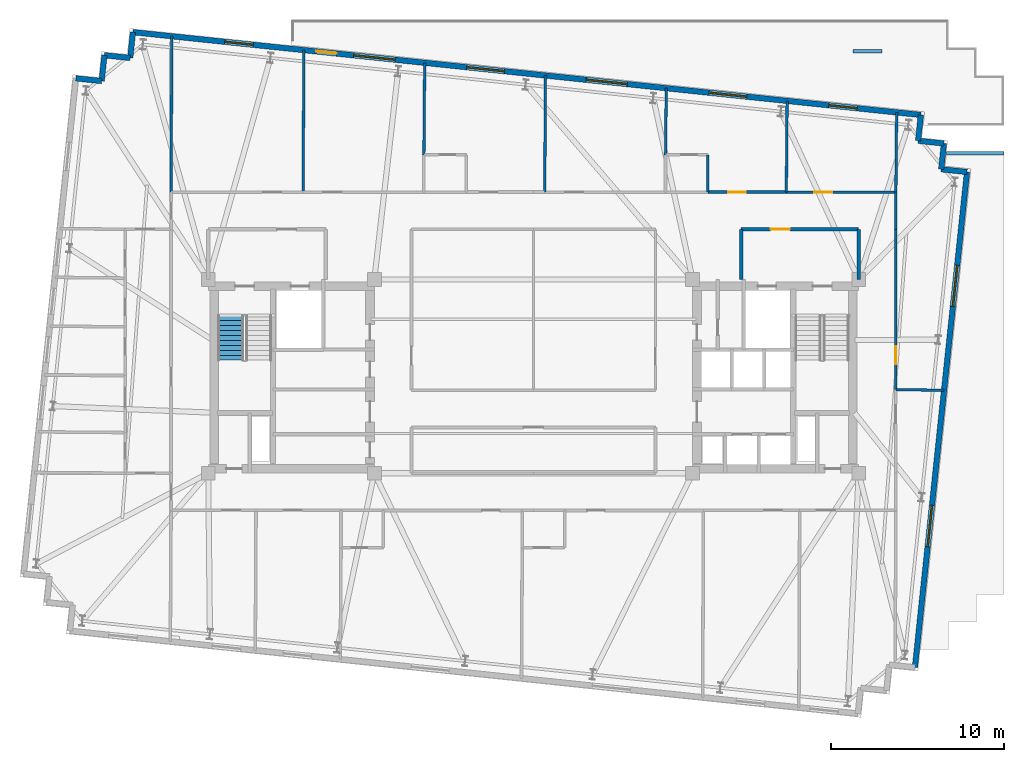
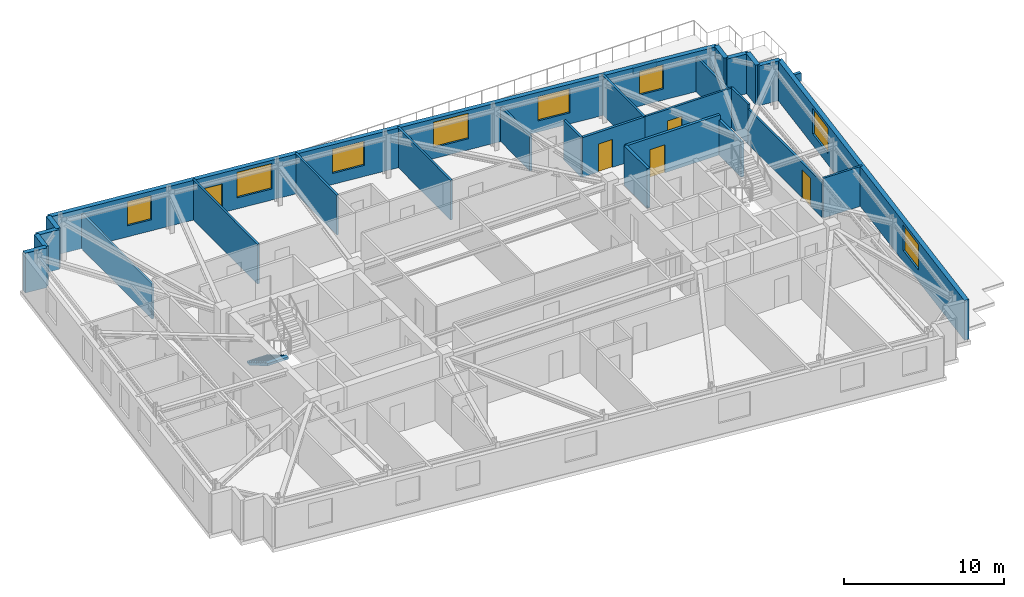
# One storey, part 9 of 13: 28 walls, 8 windows, 5 doors, 1 stair flight, 13 openings, 1 element without a shape of its own.
"""IFC4 building model written with IfcOpenShell, lengths in metres."""

from ifc_helpers import new_model, si_unit, direction, frame, frame_2d, origin, place, context, subcontext, project, spatial, polyline, rectangle, outline, extrude, material, layer, layer_set, type_object, element, fill, aggregate, save


model = new_model("IFC4")

# Units and contexts
model_context = context("Model", 3, precision=1e-05, world=origin(), true_north=direction((0.0, 1.0)))
body_context = subcontext(model_context, "Body", "Model", "MODEL_VIEW")
ifc_project = project(units=[si_unit("LENGTHUNIT", "METRE"), si_unit("AREAUNIT", "SQUARE_METRE"), si_unit("VOLUMEUNIT", "CUBIC_METRE"), si_unit("PLANEANGLEUNIT", "RADIAN"), si_unit("MASSUNIT", "GRAM", prefix="KILO")], contexts=[model_context])

# Site, building, storey
site_placement = place(None, origin())
site = spatial("IfcSite", under=ifc_project, at=site_placement, CompositionType="ELEMENT")
building_placement = place(site_placement, origin())
building = spatial("IfcBuilding", under=site, at=building_placement, Name="Qobustan Lattice House", CompositionType="ELEMENT")
storey_placement = place(building_placement, frame((0.0, 0.0, 179.64990234375)))
storey = spatial("IfcBuildingStorey", under=building, at=storey_placement, Name="L50", CompositionType="ELEMENT", Elevation=179.64990234375)

# Walls
ifc_material_1 = material(Name="Precast concrete C40/50", Category="concrete")
ifc_layer_1 = layer(ifc_material_1, 0.320068359375)
ifc_layer_set_1 = layer_set([ifc_layer_1], Name="Precast concrete C40/50")
wall_type_1 = type_object("IfcWallType", Name="WAL-EXT-STONE-320", PredefinedType="SOLIDWALL", material=ifc_layer_set_1)
wall_1_placement = place(storey_placement, frame((-26.452880859375, 17.228515625, 0.0), z_axis=(0.0, 0.0, 1.0), x_axis=(0.994508128223, -0.104659366031, 0.0)))
element("IfcWall", 1, at=wall_1_placement, inside=storey, type_object=wall_type_1, Name="L50 exterior limestone-clad wall 6", PredefinedType="SOLIDWALL", context=body_context, shape_type="SweptSolid", body=[
    extrude(rectangle(XDim=1.5, YDim=0.320068359375, at=frame_2d((0.75, 0.0))), origin(), (0.0, 0.0, 1.0), 3.0400390625),
])
wall_2_placement = place(storey_placement, frame((-24.961181640625, 17.071533203125, 0.0), z_axis=(0.0, 0.0, 1.0), x_axis=(0.104642427191, 0.994509910675, 0.0)))
element("IfcWall", 2, at=wall_2_placement, inside=storey, type_object=wall_type_1, Name="L50 exterior limestone-clad wall 7", PredefinedType="SOLIDWALL", context=body_context, shape_type="SweptSolid", body=[
    extrude(rectangle(XDim=1.500244140625, YDim=0.320068359375, at=frame_2d((0.75, 0.0))), origin(), (0.0, 0.0, 1.0), 3.0400390625),
])
wall_3_placement = place(storey_placement, frame((-24.80419921875, 18.5634765625, 0.0), z_axis=(0.0, 0.0, 1.0), x_axis=(0.994508128223, -0.104659366031, 0.0)))
element("IfcWall", 3, at=wall_3_placement, inside=storey, type_object=wall_type_1, Name="L50 exterior limestone-clad wall 8", PredefinedType="SOLIDWALL", context=body_context, shape_type="SweptSolid", body=[
    extrude(rectangle(XDim=1.5, YDim=0.320068359375, at=frame_2d((0.75, 0.0))), origin(), (0.0, 0.0, 1.0), 3.0400390625),
])
wall_4_placement = place(storey_placement, frame((-23.3125, 18.406494140625, 0.0), z_axis=(0.0, 0.0, 1.0), x_axis=(0.104481464157, 0.994526834051, 0.0)))
element("IfcWall", 4, at=wall_4_placement, inside=storey, type_object=wall_type_1, Name="L50 exterior limestone-clad wall 9", PredefinedType="SOLIDWALL", context=body_context, shape_type="SweptSolid", body=[
    extrude(rectangle(XDim=1.500244140625, YDim=0.320068359375, at=frame_2d((0.75, 0.0))), origin(), (0.0, 0.0, 1.0), 3.0400390625),
])

# Wall, openings, door, windows
wall_5_placement = place(storey_placement, frame((-23.15576171875, 19.8984375, 0.0), z_axis=(0.0, 0.0, 1.0), x_axis=(0.994522001802, -0.104527450613, 0.0)))
wall_5 = element("IfcWall", 5, at=wall_5_placement, inside=storey, type_object=wall_type_1, Name="L50 exterior limestone-clad wall 10", PredefinedType="SOLIDWALL", context=body_context, shape_type="SweptSolid", body=[
    extrude(rectangle(XDim=45.800048828125, YDim=0.320068359375, at=frame_2d((22.89990234375, 0.0))), origin(), (0.0, 0.0, 1.0), 3.0400390625),
])
opening_1_placement = place(wall_5_placement, frame((10.64990234375, 0.0, 0.0)))
opening_1 = element("IfcOpeningElement", 6, at=opening_1_placement, cuts=wall_5, Name="Opening TD-01", PredefinedType="OPENING", context=body_context, shape_type="SweptSolid", body=[
    extrude(rectangle(XDim=1.199951171875, YDim=2.199951171875, at=frame_2d((0.60009765625, 1.10009765625))), frame((0.0, 0.169921875, 0.0), z_axis=(0.0, -1.0, 0.0), x_axis=(1.0, 0.0, 0.0)), (0.0, 0.0, 1.0), 0.340087890625),
])
opening_2_placement = place(wall_5_placement, frame((5.34033203125, 0.0, 0.85009765625)))
opening_2 = element("IfcOpeningElement", 7, at=opening_2_placement, cuts=wall_5, Name="Opening WN-09", PredefinedType="OPENING", context=body_context, shape_type="SweptSolid", body=[
    extrude(rectangle(XDim=1.64990234375, YDim=1.85009765625, at=frame_2d((0.824951171875, 0.925048828125))), frame((0.0, 0.169921875, 0.0), z_axis=(0.0, -1.0, 0.0), x_axis=(1.0, 0.0, 0.0)), (0.0, 0.0, 1.0), 0.340087890625),
])
opening_3_placement = place(wall_5_placement, frame((12.841796875, 0.0, 0.85009765625)))
opening_3 = element("IfcOpeningElement", 8, at=opening_3_placement, cuts=wall_5, Name="Opening WN-10", PredefinedType="OPENING", context=body_context, shape_type="SweptSolid", body=[
    extrude(rectangle(XDim=2.39990234375, YDim=1.949951171875, at=frame_2d((1.199951171875, 0.97509765625))), frame((0.0, 0.169921875, 0.0), z_axis=(0.0, -1.0, 0.0), x_axis=(1.0, 0.0, 0.0)), (0.0, 0.0, 1.0), 0.340087890625),
])
opening_4_placement = place(wall_5_placement, frame((19.39794921875, 0.0, 0.85009765625)))
opening_4 = element("IfcOpeningElement", 9, at=opening_4_placement, cuts=wall_5, Name="Opening WN-03", PredefinedType="OPENING", context=body_context, shape_type="SweptSolid", body=[
    extrude(rectangle(XDim=2.199951171875, YDim=1.85009765625, at=frame_2d((1.10009765625, 0.925048828125))), frame((0.0, 0.169921875, 0.0), z_axis=(0.0, -1.0, 0.0), x_axis=(1.0, 0.0, 0.0)), (0.0, 0.0, 1.0), 0.340087890625),
])
opening_5_placement = place(wall_5_placement, frame((26.343994140625, 0.0, 0.85009765625)))
opening_5 = element("IfcOpeningElement", 10, at=opening_5_placement, cuts=wall_5, Name="Opening WN-10", PredefinedType="OPENING", context=body_context, shape_type="SweptSolid", body=[
    extrude(rectangle(XDim=2.39990234375, YDim=1.949951171875, at=frame_2d((1.199951171875, 0.97509765625))), frame((0.0, 0.169921875, 0.0), z_axis=(0.0, -1.0, 0.0), x_axis=(1.0, 0.0, 0.0)), (0.0, 0.0, 1.0), 0.340087890625),
])
opening_6_placement = place(wall_5_placement, frame((33.490234375, 0.0, 0.85009765625)))
opening_6 = element("IfcOpeningElement", 11, at=opening_6_placement, cuts=wall_5, Name="Opening WN-03", PredefinedType="OPENING", context=body_context, shape_type="SweptSolid", body=[
    extrude(rectangle(XDim=2.199951171875, YDim=1.85009765625, at=frame_2d((1.10009765625, 0.925048828125))), frame((0.0, 0.169921875, 0.0), z_axis=(0.0, -1.0, 0.0), x_axis=(1.0, 0.0, 0.0)), (0.0, 0.0, 1.0), 0.340087890625),
])
opening_7_placement = place(wall_5_placement, frame((40.451171875, 0.0, 0.85009765625)))
opening_7 = element("IfcOpeningElement", 12, at=opening_7_placement, cuts=wall_5, Name="Opening WN-09", PredefinedType="OPENING", context=body_context, shape_type="SweptSolid", body=[
    extrude(rectangle(XDim=1.64990234375, YDim=1.85009765625, at=frame_2d((0.824951171875, 0.925048828125))), frame((0.0, 0.169921875, 0.0), z_axis=(0.0, -1.0, 0.0), x_axis=(1.0, 0.0, 0.0)), (0.0, 0.0, 1.0), 0.340087890625),
])
ifc_material_2 = material(Name="Thermally broken anodised aluminium glazed door", Category="aluminium")
door_type_1 = type_object("IfcDoorType", Name="DOR-EXT-TERR-1200x2200", OperationType="NOTDEFINED", PredefinedType="DOOR", material=ifc_material_2)
door_1_placement = place(opening_1_placement, origin())
door_1 = element("IfcDoor", 13, at=door_1_placement, inside=storey, type_object=door_type_1, Name="L50 outdoor terrace access door", OperationType="SINGLE_SWING_LEFT", OverallHeight=2.199951171875, OverallWidth=1.199951171875, PredefinedType="DOOR", context=body_context, shape_type="SweptSolid", body=[
    extrude(rectangle(XDim=1.199951171875, YDim=2.199951171875, at=frame_2d((0.60009765625, 1.10009765625))), frame((0.0, 0.02490234375, 0.0), z_axis=(0.0, -1.0, 0.0), x_axis=(1.0, 0.0, 0.0)), (0.0, 0.0, 1.0), 0.050048828125),
])
fill(opening_1, door_1)
ifc_material_3 = material(Name="Double-glazed low-E aluminium window", Category="aluminium")
window_type_1 = type_object("IfcWindowType", Name="WIN-LNG-2400x1950", PartitioningType="SINGLE_PANEL", PredefinedType="WINDOW", material=ifc_material_3)
window_1_placement = place(opening_3_placement, origin())
window_1 = element("IfcWindow", 14, at=window_1_placement, inside=storey, type_object=window_type_1, Name="L50 Sky terrace lounge N2 window", OverallHeight=1.949951171875, OverallWidth=2.39990234375, PartitioningType="SINGLE_PANEL", PredefinedType="WINDOW", context=body_context, shape_type="SweptSolid", body=[
    extrude(rectangle(XDim=2.39990234375, YDim=1.949951171875, at=frame_2d((1.199951171875, 0.97509765625))), frame((0.0, 0.030029296875, 0.0), z_axis=(0.0, -1.0, 0.0), x_axis=(1.0, 0.0, 0.0)), (0.0, 0.0, 1.0), 0.06005859375),
])
fill(opening_3, window_1)
window_2_placement = place(opening_5_placement, origin())
window_2 = element("IfcWindow", 15, at=window_2_placement, inside=storey, type_object=window_type_1, Name="L50 Garden terrace reading salon N4 window", OverallHeight=1.949951171875, OverallWidth=2.39990234375, PartitioningType="SINGLE_PANEL", PredefinedType="WINDOW", context=body_context, shape_type="SweptSolid", body=[
    extrude(rectangle(XDim=2.39990234375, YDim=1.949951171875, at=frame_2d((1.199951171875, 0.97509765625))), frame((0.0, 0.030029296875, 0.0), z_axis=(0.0, -1.0, 0.0), x_axis=(1.0, 0.0, 0.0)), (0.0, 0.0, 1.0), 0.06005859375),
])
fill(opening_5, window_2)
ifc_material_4 = material(Name="Double-glazed low-E aluminium window", Category="aluminium")
window_type_2 = type_object("IfcWindowType", Name="WIN-STU-1650x1850", PartitioningType="SINGLE_PANEL", PredefinedType="WINDOW", material=ifc_material_4)
window_3_placement = place(opening_2_placement, origin())
window_3 = element("IfcWindow", 16, at=window_3_placement, inside=storey, type_object=window_type_2, Name="L50 Focus study room N1 window", OverallHeight=1.85009765625, OverallWidth=1.64990234375, PartitioningType="SINGLE_PANEL", PredefinedType="WINDOW", context=body_context, shape_type="SweptSolid", body=[
    extrude(rectangle(XDim=1.64990234375, YDim=1.85009765625, at=frame_2d((0.824951171875, 0.925048828125))), frame((0.0, 0.030029296875, 0.0), z_axis=(0.0, -1.0, 0.0), x_axis=(1.0, 0.0, 0.0)), (0.0, 0.0, 1.0), 0.06005859375),
])
fill(opening_2, window_3)
window_4_placement = place(opening_7_placement, origin())
window_4 = element("IfcWindow", 17, at=window_4_placement, inside=storey, type_object=window_type_2, Name="L50 Focus study room N6 window", OverallHeight=1.85009765625, OverallWidth=1.64990234375, PartitioningType="SINGLE_PANEL", PredefinedType="WINDOW", context=body_context, shape_type="SweptSolid", body=[
    extrude(rectangle(XDim=1.64990234375, YDim=1.85009765625, at=frame_2d((0.824951171875, 0.925048828125))), frame((0.0, 0.030029296875, 0.0), z_axis=(0.0, -1.0, 0.0), x_axis=(1.0, 0.0, 0.0)), (0.0, 0.0, 1.0), 0.06005859375),
])
fill(opening_7, window_4)
ifc_material_5 = material(Name="Double-glazed low-E aluminium window", Category="aluminium")
window_type_3 = type_object("IfcWindowType", Name="WIN-WIDE-2200x1850", PartitioningType="SINGLE_PANEL", PredefinedType="WINDOW", material=ifc_material_5)
window_5_placement = place(opening_4_placement, origin())
window_5 = element("IfcWindow", 18, at=window_5_placement, inside=storey, type_object=window_type_3, Name="L50 Kitchenette and studio apartment L50-N3 window", OverallHeight=1.85009765625, OverallWidth=2.199951171875, PartitioningType="SINGLE_PANEL", PredefinedType="WINDOW", context=body_context, shape_type="SweptSolid", body=[
    extrude(rectangle(XDim=2.199951171875, YDim=1.85009765625, at=frame_2d((1.10009765625, 0.925048828125))), frame((0.0, 0.030029296875, 0.0), z_axis=(0.0, -1.0, 0.0), x_axis=(1.0, 0.0, 0.0)), (0.0, 0.0, 1.0), 0.06005859375),
])
fill(opening_4, window_5)
window_6_placement = place(opening_6_placement, origin())
window_6 = element("IfcWindow", 19, at=window_6_placement, inside=storey, type_object=window_type_3, Name="L50 Kitchenette and studio apartment L50-N5 window", OverallHeight=1.85009765625, OverallWidth=2.199951171875, PartitioningType="SINGLE_PANEL", PredefinedType="WINDOW", context=body_context, shape_type="SweptSolid", body=[
    extrude(rectangle(XDim=2.199951171875, YDim=1.85009765625, at=frame_2d((1.10009765625, 0.925048828125))), frame((0.0, 0.030029296875, 0.0), z_axis=(0.0, -1.0, 0.0), x_axis=(1.0, 0.0, 0.0)), (0.0, 0.0, 1.0), 0.06005859375),
])
fill(opening_6, window_6)

# Walls
wall_6_placement = place(storey_placement, frame((22.393310546875, 15.111083984375, 0.0), z_axis=(0.0, 0.0, 1.0), x_axis=(-0.104481464157, -0.994526834051, 0.0)))
element("IfcWall", 20, at=wall_6_placement, inside=storey, type_object=wall_type_1, Name="L50 exterior limestone-clad wall 11", PredefinedType="SOLIDWALL", context=body_context, shape_type="SweptSolid", body=[
    extrude(rectangle(XDim=1.500244140625, YDim=0.320068359375, at=frame_2d((0.75, 0.0))), origin(), (0.0, 0.0, 1.0), 3.0400390625),
])
for number, where, z_axis, x_axis, name in (
    (21, (22.236572265625, 13.619140625, 0.0), (0.0, 0.0, 1.0), (0.994525057048, -0.104498377516, 0.0), "L50 exterior limestone-clad wall 12"),
    (22, (23.728271484375, 13.46240234375, 0.0), (0.0, 0.0, 1.0), (-0.104498377516, -0.994525057048, 0.0), "L50 exterior limestone-clad wall 13"),
    (23, (23.571533203125, 11.970703125, 0.0), (0.0, 0.0, 1.0), (0.994508128223, -0.104659366031, 0.0), "L50 exterior limestone-clad wall 14"),
):
    element("IfcWall", number, at=place(storey_placement, frame(where, z_axis=z_axis, x_axis=x_axis)), inside=storey, type_object=wall_type_1, Name=name, PredefinedType="SOLIDWALL", context=body_context, shape_type="SweptSolid", body=[
        extrude(rectangle(XDim=1.5, YDim=0.320068359375, at=frame_2d((0.75, 0.0))), origin(), (0.0, 0.0, 1.0), 3.0400390625),
    ])

# Wall, openings, windows
wall_7_placement = place(storey_placement, frame((25.063232421875, 11.813720703125, 0.0), z_axis=(0.0, 0.0, 1.0), x_axis=(-0.104523275986, -0.99452244056, 0.0)))
wall_7 = element("IfcWall", 24, at=wall_7_placement, inside=storey, type_object=wall_type_1, Name="L50 exterior limestone-clad wall 15", PredefinedType="SOLIDWALL", context=body_context, shape_type="SweptSolid", body=[
    extrude(rectangle(XDim=28.7998046875, YDim=0.320068359375, at=frame_2d((14.39990234375, 0.0))), origin(), (0.0, 0.0, 1.0), 3.0400390625),
])
opening_8_placement = place(wall_7_placement, frame((5.41845703125, 0.0, 0.85009765625)))
opening_8 = element("IfcOpeningElement", 25, at=opening_8_placement, cuts=wall_7, Name="Opening WN-10", PredefinedType="OPENING", context=body_context, shape_type="SweptSolid", body=[
    extrude(rectangle(XDim=2.39990234375, YDim=1.949951171875, at=frame_2d((1.199951171875, 0.97509765625))), frame((0.0, 0.169921875, 0.0), z_axis=(0.0, -1.0, 0.0), x_axis=(1.0, 0.0, 0.0)), (0.0, 0.0, 1.0), 0.340087890625),
])
opening_9_placement = place(wall_7_placement, frame((19.377197265625, 0.0, 0.85009765625)))
opening_9 = element("IfcOpeningElement", 26, at=opening_9_placement, cuts=wall_7, Name="Opening WN-10", PredefinedType="OPENING", context=body_context, shape_type="SweptSolid", body=[
    extrude(rectangle(XDim=2.39990234375, YDim=1.949951171875, at=frame_2d((1.199951171875, 0.97509765625))), frame((0.0, 0.169921875, 0.0), z_axis=(0.0, -1.0, 0.0), x_axis=(1.0, 0.0, 0.0)), (0.0, 0.0, 1.0), 0.340087890625),
])
window_7_placement = place(opening_8_placement, origin())
window_7 = element("IfcWindow", 27, at=window_7_placement, inside=storey, type_object=window_type_1, Name="L50 Spiral terrace north lounge window", OverallHeight=1.949951171875, OverallWidth=2.39990234375, PartitioningType="SINGLE_PANEL", PredefinedType="WINDOW", context=body_context, shape_type="SweptSolid", body=[
    extrude(rectangle(XDim=2.39990234375, YDim=1.949951171875, at=frame_2d((1.199951171875, 0.97509765625))), frame((0.0, 0.030029296875, 0.0), z_axis=(0.0, -1.0, 0.0), x_axis=(1.0, 0.0, 0.0)), (0.0, 0.0, 1.0), 0.06005859375),
])
fill(opening_8, window_7)
window_8_placement = place(opening_9_placement, origin())
window_8 = element("IfcWindow", 28, at=window_8_placement, inside=storey, type_object=window_type_1, Name="L50 Spiral terrace south lounge window", OverallHeight=1.949951171875, OverallWidth=2.39990234375, PartitioningType="SINGLE_PANEL", PredefinedType="WINDOW", context=body_context, shape_type="SweptSolid", body=[
    extrude(rectangle(XDim=2.39990234375, YDim=1.949951171875, at=frame_2d((1.199951171875, 0.97509765625))), frame((0.0, 0.030029296875, 0.0), z_axis=(0.0, -1.0, 0.0), x_axis=(1.0, 0.0, 0.0)), (0.0, 0.0, 1.0), 0.06005859375),
])
fill(opening_9, window_8)

# Wall, opening, door
ifc_material_6 = material(Name="Gypsum fireboard acoustic partition", Category="gypsum")
ifc_layer_2 = layer(ifc_material_6, 0.179931640625)
ifc_layer_set_2 = layer_set([ifc_layer_2], Name="Gypsum fireboard acoustic partition")
wall_type_2 = type_object("IfcWallType", Name="WAL-FIRE-180", PredefinedType="PARTITIONING", material=ifc_layer_set_2)
wall_8_placement = place(storey_placement, frame((10.0830078125, 10.64990234375, 0.0), z_axis=(0.0, 0.0, 1.0), x_axis=(1.0, 0.0, 0.0)))
wall_8 = element("IfcWall", 29, at=wall_8_placement, inside=storey, type_object=wall_type_2, Name="L50 interior partition 40", PredefinedType="PARTITIONING", context=body_context, shape_type="SweptSolid", body=[
    extrude(rectangle(XDim=4.533935546875, YDim=0.179931640625, at=frame_2d((2.26708984375, 0.0))), origin(), (0.0, 0.0, 1.0), 3.0400390625),
])
opening_10_placement = place(wall_8_placement, frame((1.173583984375, 0.0, 0.0)))
opening_10 = element("IfcOpeningElement", 30, at=opening_10_placement, cuts=wall_8, Name="Opening FD-02", PredefinedType="OPENING", context=body_context, shape_type="SweptSolid", body=[
    extrude(rectangle(XDim=1.0, YDim=2.14990234375, at=frame_2d((0.5, 1.074951171875))), frame((0.0, 0.099853515625, 0.0), z_axis=(0.0, -1.0, 0.0), x_axis=(1.0, 0.0, 0.0)), (0.0, 0.0, 1.0), 0.199951171875),
])
ifc_material_7 = material(Name="Persian walnut timber and steel frame door", Category="steel")
door_type_2 = type_object("IfcDoorType", Name="DOR-UNIT-FD-1000x2150", OperationType="NOTDEFINED", PredefinedType="DOOR", material=ifc_material_7)
door_2_placement = place(opening_10_placement, origin())
door_2 = element("IfcDoor", 31, at=door_2_placement, inside=storey, type_object=door_type_2, Name="L50 North-east floor corridor to Kitchenette and studio apartment L50-N5 door", OperationType="SINGLE_SWING_LEFT", OverallHeight=2.14990234375, OverallWidth=1.0, PredefinedType="DOOR", context=body_context, shape_type="SweptSolid", body=[
    extrude(rectangle(XDim=1.0, YDim=2.14990234375, at=frame_2d((0.5, 1.074951171875))), frame((0.0, 0.02490234375, 0.0), z_axis=(0.0, -1.0, 0.0), x_axis=(1.0, 0.0, 0.0)), (0.0, 0.0, 1.0), 0.050048828125),
])
fill(opening_10, door_2)

# Walls
ifc_material_8 = material(Name="Precast concrete C40/50", Category="concrete")
ifc_layer_3 = layer(ifc_material_8, 0.219970703125)
ifc_layer_set_3 = layer_set([ifc_layer_3], Name="Precast concrete C40/50")
wall_type_3 = type_object("IfcWallType", Name="WAL-PARAPET-220", PredefinedType="PARAPET", material=ifc_layer_set_3)
wall_9_placement = place(storey_placement, frame((27.199951171875, 12.89990234375, 0.0), z_axis=(0.0, 0.0, 1.0), x_axis=(-1.0, 0.0, 0.0)))
element("IfcWall", 32, at=wall_9_placement, inside=storey, type_object=wall_type_3, Name="L50 maintenance roof parapet 1", PredefinedType="PARAPET", context=body_context, shape_type="SweptSolid", body=[
    extrude(rectangle(XDim=3.32958984375, YDim=0.219970703125, at=frame_2d((1.664794921875, 0.0))), origin(), (0.0, 0.0, 1.0), 0.650146484375),
])
ifc_material_9 = material(Name="Acoustic twin-stud gypsum partition", Category="gypsum")
ifc_layer_4 = layer(ifc_material_9, 0.14990234375)
ifc_layer_set_4 = layer_set([ifc_layer_4], Name="Acoustic twin-stud gypsum partition")
wall_type_4 = type_object("IfcWallType", Name="WAL-PART-150", PredefinedType="PARTITIONING", material=ifc_layer_set_4)
wall_10_placement = place(storey_placement, frame((20.949951171875, 10.64990234375, 0.0), z_axis=(0.0, 0.0, 1.0), x_axis=(0.0, -1.0, 0.0)))
element("IfcWall", 33, at=wall_10_placement, inside=storey, type_object=wall_type_4, Name="L50 interior partition 37", PredefinedType="PARTITIONING", context=body_context, shape_type="SweptSolid", body=[
    extrude(rectangle(XDim=2.14990234375, YDim=0.14990234375, at=frame_2d((1.074951171875, 0.0))), origin(), (0.0, 0.0, 1.0), 3.0400390625),
])

# Wall, opening, door
wall_11_placement = place(storey_placement, frame((14.616943359375, 10.64990234375, 0.0), z_axis=(0.0, 0.0, 1.0), x_axis=(1.0, 0.0, 0.0)))
wall_11 = element("IfcWall", 34, at=wall_11_placement, inside=storey, type_object=wall_type_4, Name="L50 interior partition 42", PredefinedType="PARTITIONING", context=body_context, shape_type="SweptSolid", body=[
    extrude(rectangle(XDim=6.3330078125, YDim=0.14990234375, at=frame_2d((3.16650390625, 0.0))), origin(), (0.0, 0.0, 1.0), 3.0400390625),
])
opening_11_placement = place(wall_11_placement, frame((1.610595703125, 0.0, 0.0)))
opening_11 = element("IfcOpeningElement", 35, at=opening_11_placement, cuts=wall_11, Name="Opening ID-02", PredefinedType="OPENING", context=body_context, shape_type="SweptSolid", body=[
    extrude(rectangle(XDim=1.050048828125, YDim=2.14990234375, at=frame_2d((0.52490234375, 1.074951171875))), frame((0.0, 0.0849609375, 0.0), z_axis=(0.0, -1.0, 0.0), x_axis=(1.0, 0.0, 0.0)), (0.0, 0.0, 1.0), 0.169921875),
])
ifc_material_10 = material(Name="Persian walnut timber and steel frame door", Category="steel")
door_type_3 = type_object("IfcDoorType", Name="DOR-STUDY-1050x2150", OperationType="NOTDEFINED", PredefinedType="DOOR", material=ifc_material_10)
door_3_placement = place(opening_11_placement, origin())
door_3 = element("IfcDoor", 36, at=door_3_placement, inside=storey, type_object=door_type_3, Name="L50 North-east floor corridor to Focus study room N6 door", OperationType="SINGLE_SWING_RIGHT", OverallHeight=2.14990234375, OverallWidth=1.050048828125, PredefinedType="DOOR", context=body_context, shape_type="SweptSolid", body=[
    extrude(rectangle(XDim=1.050048828125, YDim=2.14990234375, at=frame_2d((0.52490234375, 1.074951171875))), frame((0.0, 0.02490234375, 0.0), z_axis=(0.0, -1.0, 0.0), x_axis=(1.0, 0.0, 0.0)), (0.0, 0.0, 1.0), 0.050048828125),
])
fill(opening_11, door_3)

wall_12_placement = place(storey_placement, frame((20.949951171875, 8.5, 0.0), z_axis=(0.0, 0.0, 1.0), x_axis=(0.0, -1.0, 0.0)))
wall_12 = element("IfcWall", 37, at=wall_12_placement, inside=storey, type_object=wall_type_4, Name="L50 interior partition 59", PredefinedType="PARTITIONING", context=body_context, shape_type="SweptSolid", body=[
    extrude(rectangle(XDim=9.26318359375, YDim=0.14990234375, at=frame_2d((4.631591796875, 0.0))), origin(), (0.0, 0.0, 1.0), 2.695068359375),
])
opening_12_placement = place(wall_12_placement, frame((6.75146484375, 0.0, 0.0)))
opening_12 = element("IfcOpeningElement", 38, at=opening_12_placement, cuts=wall_12, Name="Opening ID-02", PredefinedType="OPENING", context=body_context, shape_type="SweptSolid", body=[
    extrude(rectangle(XDim=1.050048828125, YDim=2.14990234375, at=frame_2d((0.52490234375, 1.074951171875))), frame((0.0, 0.0849609375, 0.0), z_axis=(0.0, -1.0, 0.0), x_axis=(1.0, 0.0, 0.0)), (0.0, 0.0, 1.0), 0.169921875),
])
door_4_placement = place(opening_12_placement, origin())
door_4 = element("IfcDoor", 39, at=door_4_placement, inside=storey, type_object=door_type_3, Name="L50 East wing spine gallery to Spiral terrace north lounge door", OperationType="SINGLE_SWING_RIGHT", OverallHeight=2.14990234375, OverallWidth=1.050048828125, PredefinedType="DOOR", context=body_context, shape_type="SweptSolid", body=[
    extrude(rectangle(XDim=1.050048828125, YDim=2.14990234375, at=frame_2d((0.52490234375, 1.074951171875))), frame((0.0, 0.02490234375, 0.0), z_axis=(0.0, -1.0, 0.0), x_axis=(1.0, 0.0, 0.0)), (0.0, 0.0, 1.0), 0.050048828125),
])
fill(opening_12, door_4)

# Walls
wall_13_placement = place(storey_placement, frame((-20.906005859375, 19.661865234375, 0.0), z_axis=(0.0, 0.0, 1.0), x_axis=(-0.004876272857, -0.999988110911, 0.0)))
element("IfcWall", 40, at=wall_13_placement, inside=storey, type_object=wall_type_4, Name="L50 interior partition 75", PredefinedType="PARTITIONING", context=body_context, shape_type="SweptSolid", body=[
    extrude(rectangle(XDim=9.011962890625, YDim=0.14990234375, at=frame_2d((4.505859375, 0.0))), origin(), (0.0, 0.0, 1.0), 2.6650390625),
])
wall_14_placement = place(storey_placement, frame((20.949951171875, -0.76318359375, 0.0), z_axis=(0.0, 0.0, 1.0), x_axis=(0.999875696831, -0.015766765259, 0.0)))
element("IfcWall", 41, at=wall_14_placement, inside=storey, type_object=wall_type_4, Name="L50 interior partition 82", PredefinedType="PARTITIONING", context=body_context, shape_type="SweptSolid", body=[
    extrude(rectangle(XDim=2.787109375, YDim=0.14990234375, at=frame_2d((1.3935546875, 0.0))), origin(), (0.0, 0.0, 1.0), 3.0400390625),
])
wall_15_placement = place(storey_placement, frame((20.949951171875, 10.64990234375, 0.0), z_axis=(0.0, 0.0, 1.0), x_axis=(0.009535990233, 0.999954531411, 0.0)))
element("IfcWall", 42, at=wall_15_placement, inside=storey, type_object=wall_type_4, Name="L50 interior partition 84", PredefinedType="PARTITIONING", context=body_context, shape_type="SweptSolid", body=[
    extrude(rectangle(XDim=4.6083984375, YDim=0.14990234375, at=frame_2d((2.30419921875, 0.0))), origin(), (0.0, 0.0, 1.0), 2.6650390625),
])
wall_16_placement = place(storey_placement, frame((-13.273193359375, 18.859619140625, 0.0), z_axis=(0.0, 0.0, 1.0), x_axis=(-0.005323028044, -0.999985832586, 0.0)))
element("IfcWall", 43, at=wall_16_placement, inside=storey, type_object=wall_type_4, Name="L50 interior partition 85", PredefinedType="PARTITIONING", context=body_context, shape_type="SweptSolid", body=[
    extrude(rectangle(XDim=8.209716796875, YDim=0.14990234375, at=frame_2d((4.10498046875, 0.0))), origin(), (0.0, 0.0, 1.0), 3.0400390625),
])
wall_17_placement = place(storey_placement, frame((-6.2890625, 18.12548828125, 0.0), z_axis=(0.0, 0.0, 1.0), x_axis=(-0.008251678897, -0.999965954318, 0.0)))
element("IfcWall", 44, at=wall_17_placement, inside=storey, type_object=wall_type_4, Name="L50 interior partition 86", PredefinedType="PARTITIONING", context=body_context, shape_type="SweptSolid", body=[
    extrude(rectangle(XDim=5.32568359375, YDim=0.14990234375, at=frame_2d((2.662841796875, 0.0))), origin(), (0.0, 0.0, 1.0), 3.0400390625),
])
wall_18_placement = place(storey_placement, frame((0.69384765625, 17.3916015625, 0.0), z_axis=(0.0, 0.0, 1.0), x_axis=(-0.0065182942, -0.999978755695, 0.0)))
element("IfcWall", 45, at=wall_18_placement, inside=storey, type_object=wall_type_4, Name="L50 interior partition 90", PredefinedType="PARTITIONING", context=body_context, shape_type="SweptSolid", body=[
    extrude(rectangle(XDim=6.741943359375, YDim=0.14990234375, at=frame_2d((3.37109375, 0.0))), origin(), (0.0, 0.0, 1.0), 3.0400390625),
])
wall_19_placement = place(storey_placement, frame((7.677001953125, 16.65771484375, 0.0), z_axis=(0.0, 0.0, 1.0), x_axis=(-0.01139094499, -0.999935121081, 0.0)))
element("IfcWall", 46, at=wall_19_placement, inside=storey, type_object=wall_type_4, Name="L50 interior partition 91", PredefinedType="PARTITIONING", context=body_context, shape_type="SweptSolid", body=[
    extrude(rectangle(XDim=3.85791015625, YDim=0.14990234375, at=frame_2d((1.928955078125, 0.0))), origin(), (0.0, 0.0, 1.0), 2.6650390625),
])
wall_20_placement = place(storey_placement, frame((14.660888671875, 15.923583984375, 0.0), z_axis=(0.0, 0.0, 1.0), x_axis=(-0.008332658252, -0.999965282801, 0.0)))
element("IfcWall", 47, at=wall_20_placement, inside=storey, type_object=wall_type_4, Name="L50 interior partition 95", PredefinedType="PARTITIONING", context=body_context, shape_type="SweptSolid", body=[
    extrude(rectangle(XDim=5.27392578125, YDim=0.14990234375, at=frame_2d((2.636962890625, 0.0))), origin(), (0.0, 0.0, 1.0), 3.0400390625),
])
ifc_material_11 = material(Name="Qobustan buff limestone", Category="masonry")
ifc_layer_5 = layer(ifc_material_11, 0.199951171875)
ifc_layer_set_5 = layer_set([ifc_layer_5], Name="Qobustan buff limestone")
wall_type_5 = type_object("IfcWallType", Name="WAL-PLANTER-200", PredefinedType="USERDEFINED", material=ifc_layer_set_5)
wall_21_placement = place(storey_placement, frame((18.457763671875, 18.784423828125, 0.0), z_axis=(0.0, 0.0, 1.0), x_axis=(1.0, 0.0, 0.0)))
element("IfcWall", 48, at=wall_21_placement, inside=storey, type_object=wall_type_5, Name="L50 planted terrace stone planter", ObjectType="PLANTER", PredefinedType="USERDEFINED", context=body_context, shape_type="SweptSolid", body=[
    extrude(rectangle(XDim=1.699951171875, YDim=0.199951171875, at=frame_2d((0.85009765625, 0.0))), origin(), (0.0, 0.0, 1.0), 0.4501953125),
])

# Wall, opening, door
ifc_material_12 = material(Name="Two-hour gypsum fireboard acoustic partition", Category="gypsum")
ifc_layer_6 = layer(ifc_material_12, 0.199951171875)
ifc_layer_set_6 = layer_set([ifc_layer_6], Name="Two-hour gypsum fireboard acoustic partition")
wall_type_6 = type_object("IfcWallType", Name="WAL-PROT-200", PredefinedType="PARTITIONING", material=ifc_layer_set_6)
wall_22_placement = place(storey_placement, frame((18.800048828125, 8.5, 0.0), z_axis=(0.0, 0.0, 1.0), x_axis=(-1.0, 0.0, 0.0)))
wall_22 = element("IfcWall", 49, at=wall_22_placement, inside=storey, type_object=wall_type_6, Name="L50 interior partition 15", PredefinedType="PARTITIONING", context=body_context, shape_type="SweptSolid", body=[
    extrude(rectangle(XDim=6.800048828125, YDim=0.199951171875, at=frame_2d((3.39990234375, 0.0))), origin(), (0.0, 0.0, 1.0), 3.0400390625),
])
opening_13_placement = place(wall_22_placement, frame((3.985107421875, 0.0, 0.0)))
opening_13 = element("IfcOpeningElement", 50, at=opening_13_placement, cuts=wall_22, Name="Opening SD-01", PredefinedType="OPENING", context=body_context, shape_type="SweptSolid", body=[
    extrude(rectangle(XDim=1.10009765625, YDim=2.14990234375, at=frame_2d((0.550048828125, 1.074951171875))), frame((0.0, 0.10986328125, 0.0), z_axis=(0.0, -1.0, 0.0), x_axis=(1.0, 0.0, 0.0)), (0.0, 0.0, 1.0), 0.219970703125),
])
ifc_material_13 = material(Name="Persian walnut timber and steel frame door", Category="steel")
door_type_4 = type_object("IfcDoorType", Name="DOR-STAIR-FD-1100x2150", OperationType="NOTDEFINED", PredefinedType="DOOR", material=ifc_material_13)
door_5_placement = place(opening_13_placement, origin())
door_5 = element("IfcDoor", 51, at=door_5_placement, inside=storey, type_object=door_type_4, Name="L50 East firefighting lift lobby to North-east floor corridor door", OperationType="SINGLE_SWING_RIGHT", OverallHeight=2.14990234375, OverallWidth=1.10009765625, PredefinedType="DOOR", context=body_context, shape_type="SweptSolid", body=[
    extrude(rectangle(XDim=1.10009765625, YDim=2.14990234375, at=frame_2d((0.550048828125, 1.074951171875))), frame((0.0, 0.02490234375, 0.0), z_axis=(0.0, -1.0, 0.0), x_axis=(1.0, 0.0, 0.0)), (0.0, 0.0, 1.0), 0.050048828125),
])
fill(opening_13, door_5)

# Walls
wall_23_placement = place(storey_placement, frame((18.800048828125, 5.60009765625, 0.0), z_axis=(0.0, 0.0, 1.0), x_axis=(0.0, 1.0, 0.0)))
element("IfcWall", 52, at=wall_23_placement, inside=storey, type_object=wall_type_6, Name="L50 interior partition 16", PredefinedType="PARTITIONING", context=body_context, shape_type="SweptSolid", body=[
    extrude(rectangle(XDim=2.89990234375, YDim=0.199951171875, at=frame_2d((1.449951171875, 0.0))), origin(), (0.0, 0.0, 1.0), 2.6650390625),
])
wall_24_placement = place(storey_placement, frame((12.0, 8.5, 0.0), z_axis=(0.0, 0.0, 1.0), x_axis=(0.0, -1.0, 0.0)))
element("IfcWall", 53, at=wall_24_placement, inside=storey, type_object=wall_type_6, Name="L50 interior partition 17", PredefinedType="PARTITIONING", context=body_context, shape_type="SweptSolid", body=[
    extrude(rectangle(XDim=2.89990234375, YDim=0.199951171875, at=frame_2d((1.449951171875, 0.0))), origin(), (0.0, 0.0, 1.0), 3.0400390625),
])
ifc_material_14 = material(Name="Moisture-resistant acoustic plumbing wall", Category="gypsum")
ifc_layer_7 = layer(ifc_material_14, 0.14990234375)
ifc_layer_set_7 = layer_set([ifc_layer_7], Name="Moisture-resistant acoustic plumbing wall")
wall_type_7 = type_object("IfcWallType", Name="WAL-WET-150", PredefinedType="PLUMBINGWALL", material=ifc_layer_set_7)
wall_25_placement = place(storey_placement, frame((10.0830078125, 10.64990234375, 0.0), z_axis=(0.0, 0.0, 1.0), x_axis=(0.0, 1.0, 0.0)))
element("IfcWall", 54, at=wall_25_placement, inside=storey, type_object=wall_type_7, Name="L50 interior partition 94", PredefinedType="PLUMBINGWALL", context=body_context, shape_type="SweptSolid", body=[
    extrude(rectangle(XDim=2.150146484375, YDim=0.14990234375, at=frame_2d((1.0751953125, 0.0))), origin(), (0.0, 0.0, 1.0), 3.0400390625),
])

# Stair, stair flight
ifc_material_15 = material(Name="Concrete C40/50", Category="concrete")
stair_type = type_object("IfcStairType", Name="STR-CORE-DOGLEG", PredefinedType="HALF_TURN_STAIR", material=ifc_material_15)
stair_placement = place(storey_placement, origin())
stair = element("IfcStair", 55, at=stair_placement, inside=storey, type_object=stair_type, Name="L50 West protected exit stair ST-W1", PredefinedType="HALF_TURN_STAIR")
ifc_material_16 = material(Name="Concrete C40/50", Category="concrete")
stair_flight_type = type_object("IfcStairFlightType", Name="SFL-RC-1500", PredefinedType="STRAIGHT", material=ifc_material_16)
stair_flight_placement = place(storey_placement, frame((-17.5, 3.5, 0.0), z_axis=(0.0, 0.0, 1.0), x_axis=(0.0, -1.0, 0.0)))
stair_flight = element("IfcStairFlight", 56, at=stair_flight_placement, type_object=stair_flight_type, Name="ST-W1 flight 1", NumberOfRisers=10, NumberOfTreads=9, PredefinedType="STRAIGHT", RiserHeight=0.1675, TreadLength=0.285, context=body_context, shape_type="SweptSolid", body=[
    extrude(outline(polyline([(0.0, 0.0), (0.0, 0.16748046875), (0.284912109375, 0.16748046875), (0.284912109375, 0.3349609375), (0.570068359375, 0.3349609375), (0.570068359375, 0.50244140625), (0.85498046875, 0.50244140625), (0.85498046875, 0.669921875), (1.139892578125, 0.669921875), (1.139892578125, 0.83740234375), (1.425048828125, 0.83740234375), (1.425048828125, 1.0048828125), (1.7099609375, 1.0048828125), (1.7099609375, 1.172607421875), (1.9951171875, 1.172607421875), (1.9951171875, 1.340087890625), (2.280029296875, 1.340087890625), (2.280029296875, 1.507568359375), (2.56494140625, 1.507568359375), (2.56494140625, 1.675048828125), (2.56494140625, 1.333740234375), (0.2958984375, 0.0), (0.0, 0.0)])), frame((0.0, 0.75, 0.0), z_axis=(0.0, -1.0, 0.0), x_axis=(1.0, 0.0, 0.0)), (0.0, 0.0, 1.0), 1.5),
])
aggregate(stair, [stair_flight])

save(model, "model.ifc")
